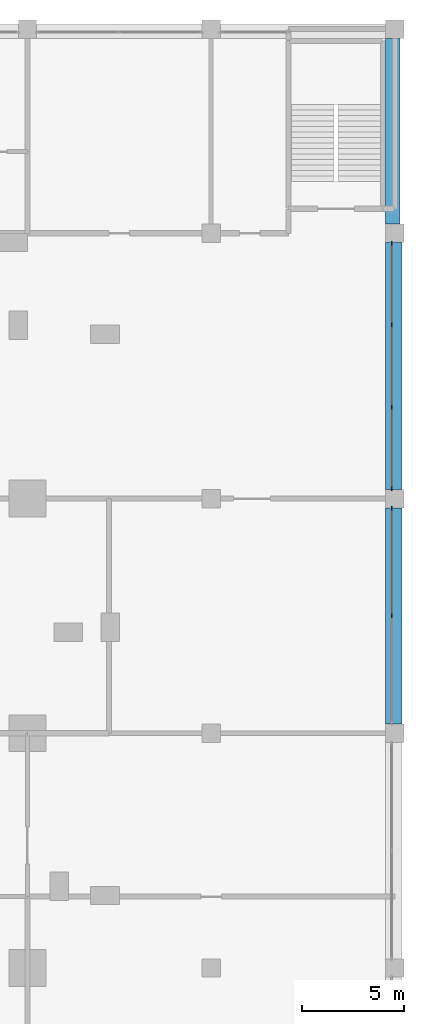
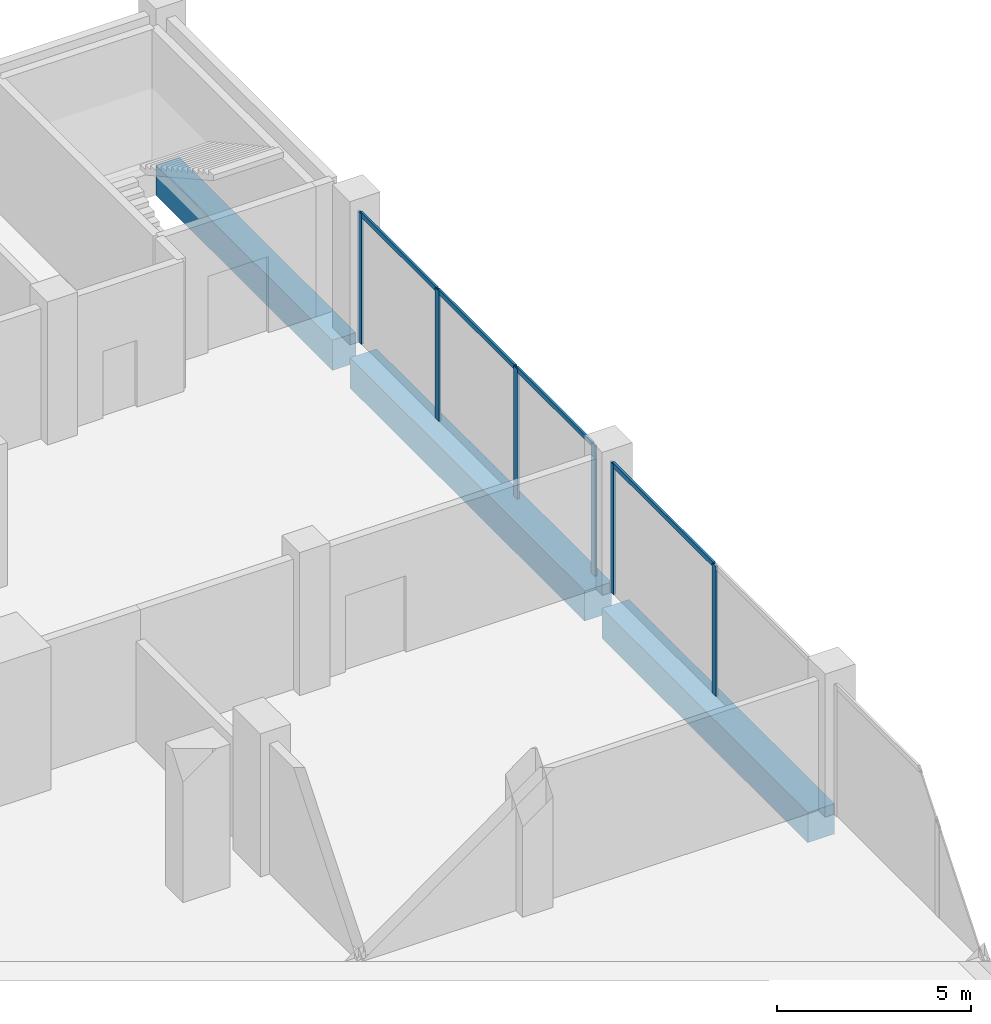
# One storey, part 9 of 22: 10 members, 3 beams, 2 elements without a shape of their own.
"""IFC4 building model written with IfcOpenShell, lengths in metres."""

from ifc_helpers import new_model, si_unit, direction, frame, origin, origin_2d, place, context, subcontext, project, spatial, rectangle, extrude, material, layer, layer_set, material_profile, profile_set, type_object, element, aggregate, save


model = new_model("IFC4")

# Units and contexts
model_context = context("Model", 3, precision=1e-05, world=origin(), true_north=direction((0.0, 1.0)))
body_context = subcontext(model_context, "Body", "Model", "MODEL_VIEW")
ifc_project = project(units=[si_unit("LENGTHUNIT", "METRE"), si_unit("AREAUNIT", "SQUARE_METRE"), si_unit("VOLUMEUNIT", "CUBIC_METRE"), si_unit("PLANEANGLEUNIT", "RADIAN"), si_unit("MASSUNIT", "GRAM", prefix="KILO")], contexts=[model_context])

# Site, building, storey
site_placement = place(None, origin())
site = spatial("IfcSite", under=ifc_project, at=site_placement, CompositionType="ELEMENT")
building_placement = place(site_placement, origin())
building = spatial("IfcBuilding", under=site, at=building_placement, Name="Brigalow Station Residences", CompositionType="ELEMENT")
storey_placement = place(building_placement, frame((0.0, 0.0, 6.5)))
storey = spatial("IfcBuildingStorey", under=building, at=storey_placement, Name="L01", CompositionType="ELEMENT", Elevation=6.5)

# Beams
ifc_material_1 = material(Name="Concrete C65", Category="concrete")
ifc_material_profile_1 = material_profile(ifc_material_1, rectangle(XDim=0.699951171875, YDim=0.949951171875, at=origin_2d()), Name="RC700x950")
ifc_profile_set_1 = profile_set([ifc_material_profile_1], Name="Concrete C65")
beam_type_1 = type_object("IfcBeamType", Name="EDGE GIRDER 4.5 TO 9.9 M SPAN 700x950 C65", PredefinedType="BEAM", material=ifc_profile_set_1)
beam_1_placement = place(storey_placement, frame((89.89990234375, 48.949951171875, -0.876953125), z_axis=(0.0, 1.0, 0.0), x_axis=(-1.0, 0.0, 0.0)))
element("IfcBeam", 1, at=beam_1_placement, inside=storey, type_object=beam_type_1, Name="PODIUM EDGE GIRDER E18 L01", PredefinedType="BEAM", context=body_context, shape_type="SweptSolid", body=[
    extrude(rectangle(XDim=0.699951171875, YDim=0.949951171875, at=origin_2d()), origin(), (0.0, 0.0, 1.0), 9.10009765625),
])
ifc_material_2 = material(Name="Concrete C65", Category="concrete")
ifc_material_profile_2 = material_profile(ifc_material_2, rectangle(XDim=0.800048828125, YDim=0.949951171875, at=origin_2d()), Name="RC800x950")
ifc_profile_set_2 = profile_set([ifc_material_profile_2], Name="Concrete C65")
beam_type_2 = type_object("IfcBeamType", Name="EDGE GIRDER OVER 9.9 M SPAN 800x950 C65", PredefinedType="BEAM", material=ifc_profile_set_2)
beam_2_placement = place(storey_placement, frame((89.949951171875, 24.449951171875, -0.876953125), z_axis=(0.0, 1.0, 0.0), x_axis=(-1.0, 0.0, 0.0)))
element("IfcBeam", 2, at=beam_2_placement, inside=storey, type_object=beam_type_2, Name="PODIUM EDGE GIRDER E16 L01", PredefinedType="BEAM", context=body_context, shape_type="SweptSolid", body=[
    extrude(rectangle(XDim=0.800048828125, YDim=0.949951171875, at=origin_2d()), origin(), (0.0, 0.0, 1.0), 10.60009765625),
])
beam_3_placement = place(storey_placement, frame((89.949951171875, 35.949951171875, -0.876953125), z_axis=(0.0, 1.0, 0.0), x_axis=(-1.0, 0.0, 0.0)))
element("IfcBeam", 3, at=beam_3_placement, inside=storey, type_object=beam_type_2, Name="PODIUM EDGE GIRDER E17 L01", PredefinedType="BEAM", context=body_context, shape_type="SweptSolid", body=[
    extrude(rectangle(XDim=0.800048828125, YDim=0.949951171875, at=origin_2d()), origin(), (0.0, 0.0, 1.0), 12.10009765625),
])

# Curtain wall, members
ifc_material_3 = material(Name="Aluminium", Category="aluminium")
ifc_layer = layer(ifc_material_3, 0.199951171875)
ifc_layer_set = layer_set([ifc_layer], Name="PODIUM UNITISED GLAZING CURTAIN WALL")
curtain_wall_type = type_object("IfcCurtainWallType", Name="PODIUM UNITISED GLAZING CURTAIN WALL", PredefinedType="NOTDEFINED", material=ifc_layer_set)
curtain_wall_1_placement = place(storey_placement, origin())
curtain_wall_1 = element("IfcCurtainWall", 4, at=curtain_wall_1_placement, inside=storey, type_object=curtain_wall_type, Name="L01/cw/podium-W-L01-13-4", PredefinedType="NOTDEFINED")
ifc_material_4 = material(Name="Aluminium", Category="aluminium")
ifc_material_profile_3 = material_profile(ifc_material_4, rectangle(XDim=0.06494140625, YDim=0.199951171875, at=origin_2d()), Name="PODIUM UNITISED GLAZING MULLION 65x200")
ifc_profile_set_3 = profile_set([ifc_material_profile_3], Name="Aluminium")
member_type_1 = type_object("IfcMemberType", Name="PODIUM UNITISED GLAZING MULLION 65x200", PredefinedType="MULLION", material=ifc_profile_set_3)
member_1_placement = place(storey_placement, frame((89.85009765625, 29.75, 0.0), z_axis=(0.0, 0.0, 1.0), x_axis=(-1.0, 0.0, 0.0)))
member_1 = element("IfcMember", 5, at=member_1_placement, type_object=member_type_1, Name="L01/cw/podium-W-L01-13-4/M01", PredefinedType="MULLION", context=body_context, shape_type="SweptSolid", body=[
    extrude(rectangle(XDim=0.06494140625, YDim=0.199951171875, at=origin_2d()), origin(), (0.0, 0.0, 1.0), 4.097900390625),
])
member_2_placement = place(storey_placement, frame((89.85009765625, 35.017578125, 0.0), z_axis=(0.0, 0.0, 1.0), x_axis=(-1.0, 0.0, 0.0)))
member_2 = element("IfcMember", 6, at=member_2_placement, type_object=member_type_1, Name="L01/cw/podium-W-L01-13-4/M02", PredefinedType="MULLION", context=body_context, shape_type="SweptSolid", body=[
    extrude(rectangle(XDim=0.06494140625, YDim=0.199951171875, at=origin_2d()), origin(), (0.0, 0.0, 1.0), 4.097900390625),
])

curtain_wall_2_placement = place(storey_placement, origin())
curtain_wall_2 = element("IfcCurtainWall", 7, at=curtain_wall_2_placement, inside=storey, type_object=curtain_wall_type, Name="L01/cw/podium-W-L01-13-5", PredefinedType="NOTDEFINED")
member_3_placement = place(storey_placement, frame((89.85009765625, 35.982421875, 0.0), z_axis=(0.0, 0.0, 1.0), x_axis=(-1.0, 0.0, 0.0)))
member_3 = element("IfcMember", 8, at=member_3_placement, type_object=member_type_1, Name="L01/cw/podium-W-L01-13-5/M00", PredefinedType="MULLION", context=body_context, shape_type="SweptSolid", body=[
    extrude(rectangle(XDim=0.06494140625, YDim=0.199951171875, at=origin_2d()), origin(), (0.0, 0.0, 1.0), 4.097900390625),
])
member_4_placement = place(storey_placement, frame((89.85009765625, 39.9833984375, 0.0), z_axis=(0.0, 0.0, 1.0), x_axis=(-1.0, 0.0, 0.0)))
member_4 = element("IfcMember", 9, at=member_4_placement, type_object=member_type_1, Name="L01/cw/podium-W-L01-13-5/M01", PredefinedType="MULLION", context=body_context, shape_type="SweptSolid", body=[
    extrude(rectangle(XDim=0.06494140625, YDim=0.199951171875, at=origin_2d()), origin(), (0.0, 0.0, 1.0), 4.097900390625),
])
member_5_placement = place(storey_placement, frame((89.85009765625, 44.0166015625, 0.0), z_axis=(0.0, 0.0, 1.0), x_axis=(-1.0, 0.0, 0.0)))
member_5 = element("IfcMember", 10, at=member_5_placement, type_object=member_type_1, Name="L01/cw/podium-W-L01-13-5/M02", PredefinedType="MULLION", context=body_context, shape_type="SweptSolid", body=[
    extrude(rectangle(XDim=0.06494140625, YDim=0.199951171875, at=origin_2d()), origin(), (0.0, 0.0, 1.0), 4.097900390625),
])
member_6_placement = place(storey_placement, frame((89.85009765625, 48.017578125, 0.0), z_axis=(0.0, 0.0, 1.0), x_axis=(-1.0, 0.0, 0.0)))
member_6 = element("IfcMember", 11, at=member_6_placement, type_object=member_type_1, Name="L01/cw/podium-W-L01-13-5/M03", PredefinedType="MULLION", context=body_context, shape_type="SweptSolid", body=[
    extrude(rectangle(XDim=0.06494140625, YDim=0.199951171875, at=origin_2d()), origin(), (0.0, 0.0, 1.0), 4.097900390625),
])

# Member
ifc_material_5 = material(Name="Aluminium", Category="aluminium")
ifc_material_profile_4 = material_profile(ifc_material_5, rectangle(XDim=0.06494140625, YDim=0.14990234375, at=origin_2d()), Name="PODIUM UNITISED GLAZING TRANSOM 65x150")
ifc_profile_set_4 = profile_set([ifc_material_profile_4], Name="Aluminium")
member_type_2 = type_object("IfcMemberType", Name="PODIUM UNITISED GLAZING TRANSOM 65x150", PredefinedType="USERDEFINED", material=ifc_profile_set_4)
member_7_placement = place(storey_placement, frame((89.85009765625, 29.782470703125, 4.0654296875), z_axis=(0.0, 1.0, 0.0), x_axis=(-1.0, 0.0, 0.0)))
member_7 = element("IfcMember", 12, at=member_7_placement, type_object=member_type_2, Name="L01/cw/podium-W-L01-13-4/T01-00", ObjectType="TRANSOM", PredefinedType="USERDEFINED", context=body_context, shape_type="SweptSolid", body=[
    extrude(rectangle(XDim=0.06494140625, YDim=0.14990234375, at=origin_2d()), origin(), (0.0, 0.0, 1.0), 5.20263671875),
])

aggregate(curtain_wall_1, [member_1, member_2, member_7])

member_8_placement = place(storey_placement, frame((89.85009765625, 36.014892578125, 4.0654296875), z_axis=(0.0, 1.0, 0.0), x_axis=(-1.0, 0.0, 0.0)))
member_8 = element("IfcMember", 13, at=member_8_placement, type_object=member_type_2, Name="L01/cw/podium-W-L01-13-5/T00-00", ObjectType="TRANSOM", PredefinedType="USERDEFINED", context=body_context, shape_type="SweptSolid", body=[
    extrude(rectangle(XDim=0.06494140625, YDim=0.14990234375, at=origin_2d()), origin(), (0.0, 0.0, 1.0), 3.935791015625),
])

member_9_placement = place(storey_placement, frame((89.85009765625, 40.015869140625, 4.0654296875), z_axis=(0.0, 1.0, 0.0), x_axis=(-1.0, 0.0, 0.0)))
member_9 = element("IfcMember", 14, at=member_9_placement, type_object=member_type_2, Name="L01/cw/podium-W-L01-13-5/T01-00", ObjectType="TRANSOM", PredefinedType="USERDEFINED", context=body_context, shape_type="SweptSolid", body=[
    extrude(rectangle(XDim=0.06494140625, YDim=0.14990234375, at=origin_2d()), origin(), (0.0, 0.0, 1.0), 3.96826171875),
])

member_10_placement = place(storey_placement, frame((89.85009765625, 44.04931640625, 4.0654296875), z_axis=(0.0, 1.0, 0.0), x_axis=(-1.0, 0.0, 0.0)))
member_10 = element("IfcMember", 15, at=member_10_placement, type_object=member_type_2, Name="L01/cw/podium-W-L01-13-5/T02-00", ObjectType="TRANSOM", PredefinedType="USERDEFINED", context=body_context, shape_type="SweptSolid", body=[
    extrude(rectangle(XDim=0.06494140625, YDim=0.14990234375, at=origin_2d()), origin(), (0.0, 0.0, 1.0), 3.935791015625),
])

aggregate(curtain_wall_2, [member_3, member_4, member_5, member_6, member_8, member_9, member_10])

save(model, "model.ifc")
